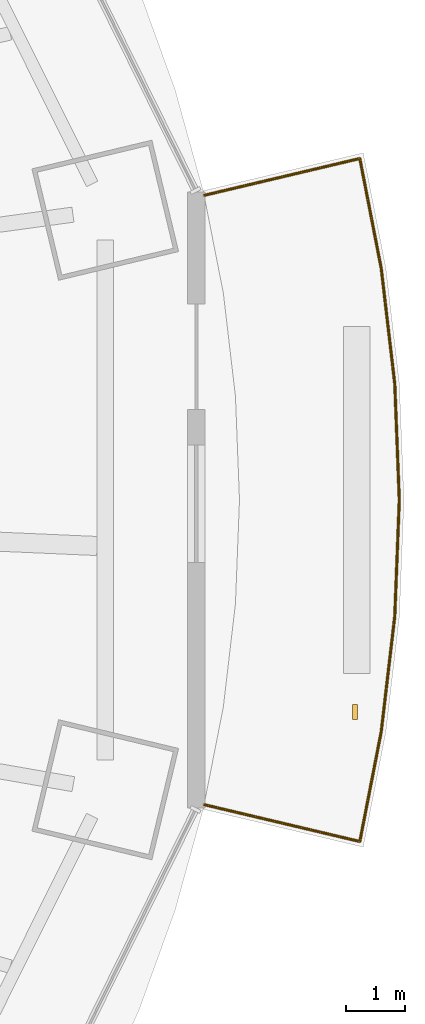
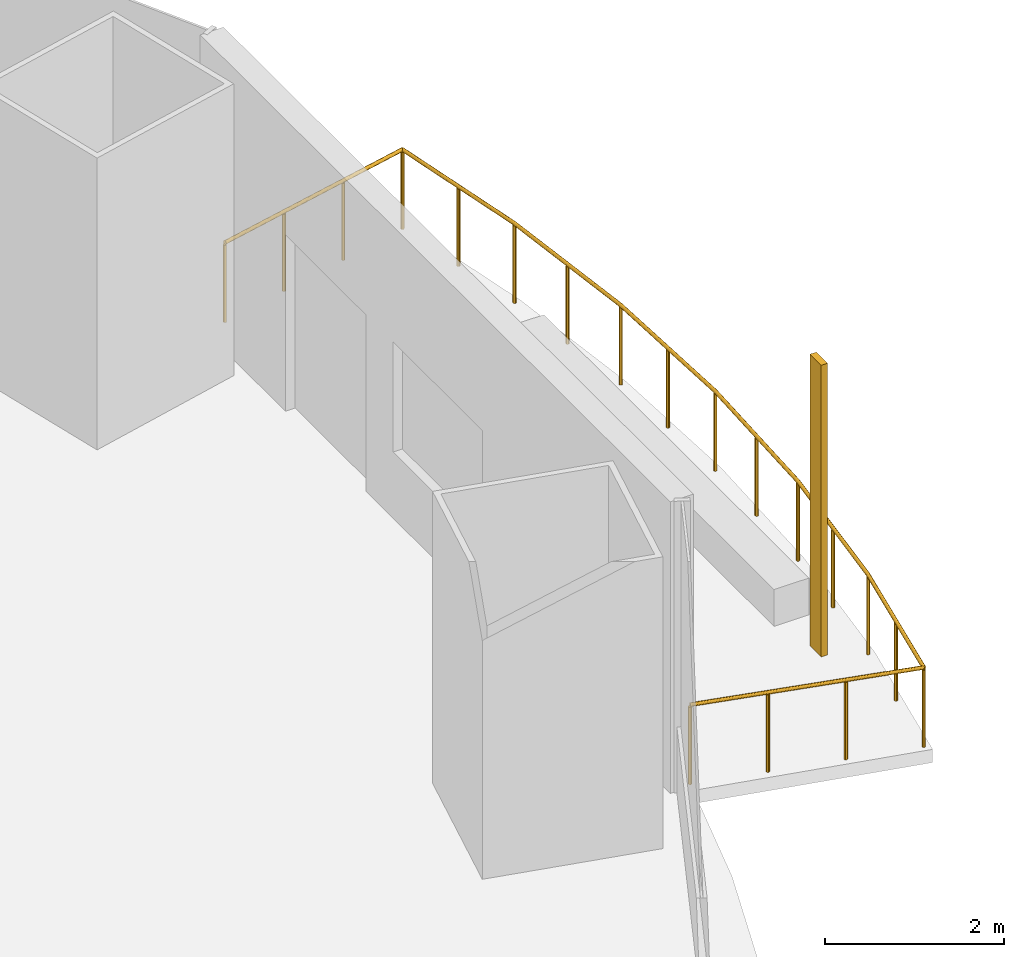
# One storey, part 19 of 20: 1 railing, 1 shading device.
"""IFC4 building model written with IfcOpenShell, lengths in metres."""

from ifc_helpers import new_model, si_unit, direction, frame, origin, origin_2d, place, context, subcontext, project, spatial, rectangle, circle, extrude, material, material_profile, profile_set, type_object, element, save


model = new_model("IFC4")

# Units and contexts
model_context = context("Model", 3, precision=1e-05, world=origin(), true_north=direction((0.0, 1.0)))
body_context = subcontext(model_context, "Body", "Model", "MODEL_VIEW")
ifc_project = project(units=[si_unit("LENGTHUNIT", "METRE"), si_unit("AREAUNIT", "SQUARE_METRE"), si_unit("VOLUMEUNIT", "CUBIC_METRE"), si_unit("PLANEANGLEUNIT", "RADIAN"), si_unit("MASSUNIT", "GRAM", prefix="KILO")], contexts=[model_context])

# Site, building, storey
site_placement = place(None, origin())
site = spatial("IfcSite", under=ifc_project, at=site_placement, CompositionType="ELEMENT")
building_placement = place(site_placement, origin())
building = spatial("IfcBuilding", under=site, at=building_placement, Name="Marenthal Gate Tower", CompositionType="ELEMENT")
storey_placement = place(building_placement, frame((0.0, 0.0, 194.25)))
storey = spatial("IfcBuildingStorey", under=building, at=storey_placement, Name="L42", CompositionType="ELEMENT", Elevation=194.25)

# Railing
ifc_material_1 = material(Name="Stainless steel", Category="steel")
railing_type = type_object("IfcRailingType", Name="Balcony guard 1100", PredefinedType="GUARDRAIL", material=ifc_material_1)
railing_placement = place(storey_placement, frame((33.3359375, 4.5859375, 0.0)))
element("IfcRailing", 1, at=railing_placement, inside=storey, type_object=railing_type, Name="Balcony guard L42 bay 16", PredefinedType="GUARDRAIL", context=body_context, shape_type="SweptSolid", body=[
    extrude(circle(Radius=0.02392578125, at=origin_2d()), frame((0.0, 0.0, 1.076171875), z_axis=(0.973011948097, 0.230284879064, -0.014718129449), x_axis=(-0.230309825657, 0.973117353769, 0.0)), (0.0, 0.0, 1.0), 2.720458984375),
    extrude(circle(Radius=0.02392578125, at=origin_2d()), frame((2.64697265625, 0.62646484375, 1.0361328125), z_axis=(0.19133270439, -0.981525239732, 0.0), x_axis=(0.981525239732, 0.19133270439, 0.0)), (0.0, 0.0, 1.0), 1.905029296875),
    extrude(circle(Radius=0.02392578125, at=origin_2d()), frame((3.011474609375, -1.243408203125, 1.0361328125), z_axis=(0.116397683108, -0.993202687958, 0.0), x_axis=(0.993202687958, 0.116397683108, 0.0)), (0.0, 0.0, 1.0), 1.97998046875),
    extrude(circle(Radius=0.02392578125, at=origin_2d()), frame((3.241943359375, -3.2099609375, 1.0361328125), z_axis=(0.039011545359, -0.999238759921, 0.0), x_axis=(0.999238759921, 0.039011545359, 0.0)), (0.0, 0.0, 1.0), 1.9775390625),
    extrude(circle(Radius=0.02392578125, at=origin_2d()), frame((3.319091796875, -5.18603515625, 1.0361328125), z_axis=(-0.039011545359, -0.999238759921, 0.0), x_axis=(0.999238759921, -0.039011545359, 0.0)), (0.0, 0.0, 1.0), 1.9775390625),
    extrude(circle(Radius=0.02392578125, at=origin_2d()), frame((3.241943359375, -7.162109375, 1.0361328125), z_axis=(-0.116397683108, -0.993202687958, 0.0), x_axis=(0.993202687958, -0.116397683108, 0.0)), (0.0, 0.0, 1.0), 1.97998046875),
    extrude(circle(Radius=0.02392578125, at=origin_2d()), frame((3.011474609375, -9.128662109375, 1.0361328125), z_axis=(-0.191356774256, -0.981520547389, 0.0), x_axis=(0.981520547389, -0.191356774256, 0.0)), (0.0, 0.0, 1.0), 1.90478515625),
    extrude(circle(Radius=0.02392578125, at=origin_2d()), frame((2.64697265625, -10.998291015625, 1.0361328125), z_axis=(-0.973011948097, 0.230284879064, 0.014718129449), x_axis=(-0.230309825657, -0.973117353769, 0.0)), (0.0, 0.0, 1.0), 2.720458984375),
    extrude(circle(Radius=0.02099609375, at=origin_2d()), origin(), (0.0, 0.0, 1.0), 1.052001953125),
    extrude(circle(Radius=0.02099609375, at=origin_2d()), frame((0.88232421875, 0.208740234375, -0.013427734375)), (0.0, 0.0, 1.0), 1.052001953125),
    extrude(circle(Radius=0.02099609375, at=origin_2d()), frame((1.7646484375, 0.417724609375, -0.026611328125)), (0.0, 0.0, 1.0), 1.052001953125),
    extrude(circle(Radius=0.02099609375, at=origin_2d()), frame((2.64697265625, 0.62646484375, -0.0400390625)), (0.0, 0.0, 1.0), 1.052001953125),
    extrude(circle(Radius=0.02099609375, at=origin_2d()), frame((2.8291015625, -0.30859375, -0.0400390625)), (0.0, 0.0, 1.0), 1.052001953125),
    extrude(circle(Radius=0.02099609375, at=origin_2d()), frame((3.011474609375, -1.243408203125, -0.0400390625)), (0.0, 0.0, 1.0), 1.052001953125),
    extrude(circle(Radius=0.02099609375, at=origin_2d()), frame((3.126708984375, -2.2265625, -0.0400390625)), (0.0, 0.0, 1.0), 1.052001953125),
    extrude(circle(Radius=0.02099609375, at=origin_2d()), frame((3.241943359375, -3.2099609375, -0.0400390625)), (0.0, 0.0, 1.0), 1.052001953125),
    extrude(circle(Radius=0.02099609375, at=origin_2d()), frame((3.280517578125, -4.197998046875, -0.0400390625)), (0.0, 0.0, 1.0), 1.052001953125),
    extrude(circle(Radius=0.02099609375, at=origin_2d()), frame((3.319091796875, -5.18603515625, -0.0400390625)), (0.0, 0.0, 1.0), 1.052001953125),
    extrude(circle(Radius=0.02099609375, at=origin_2d()), frame((3.280517578125, -6.174072265625, -0.0400390625)), (0.0, 0.0, 1.0), 1.052001953125),
    extrude(circle(Radius=0.02099609375, at=origin_2d()), frame((3.241943359375, -7.162109375, -0.0400390625)), (0.0, 0.0, 1.0), 1.052001953125),
    extrude(circle(Radius=0.02099609375, at=origin_2d()), frame((3.126708984375, -8.1455078125, -0.0400390625)), (0.0, 0.0, 1.0), 1.052001953125),
    extrude(circle(Radius=0.02099609375, at=origin_2d()), frame((3.011474609375, -9.128662109375, -0.0400390625)), (0.0, 0.0, 1.0), 1.052001953125),
    extrude(circle(Radius=0.02099609375, at=origin_2d()), frame((2.8291015625, -10.0634765625, -0.0400390625)), (0.0, 0.0, 1.0), 1.052001953125),
    extrude(circle(Radius=0.02099609375, at=origin_2d()), frame((2.64697265625, -10.998291015625, -0.0400390625)), (0.0, 0.0, 1.0), 1.052001953125),
    extrude(circle(Radius=0.02099609375, at=origin_2d()), frame((1.7646484375, -10.78955078125, -0.026611328125)), (0.0, 0.0, 1.0), 1.052001953125),
    extrude(circle(Radius=0.02099609375, at=origin_2d()), frame((0.88232421875, -10.58056640625, -0.013427734375)), (0.0, 0.0, 1.0), 1.052001953125),
    extrude(circle(Radius=0.02099609375, at=origin_2d()), frame((0.0, -10.371826171875, 0.0)), (0.0, 0.0, 1.0), 1.052001953125),
])

# Shading device
ifc_material_2 = material(Name="Terracotta", Category="masonry")
ifc_material_profile = material_profile(ifc_material_2, rectangle(XDim=0.25, YDim=0.080078125, at=origin_2d()), Name="Terracotta baguette 250x80")
ifc_profile_set = profile_set([ifc_material_profile], Name="Terracotta")
shading_device_type = type_object("IfcShadingDeviceType", Name="Terracotta BAGUETTE SCREEN 250x80", PredefinedType="USERDEFINED", material=ifc_profile_set)
shading_device_placement = place(storey_placement, frame((35.902099609375, -4.209228515625, -0.0400390625), z_axis=(0.0, 0.0, 1.0), x_axis=(0.0, 1.0, 0.0)))
element("IfcShadingDevice", 2, at=shading_device_placement, inside=storey, type_object=shading_device_type, Name="Terracotta BAGUETTE L42 bay 16L", ObjectType="BAGUETTE SCREEN", PredefinedType="USERDEFINED", context=body_context, shape_type="SweptSolid", body=[
    extrude(rectangle(XDim=0.25, YDim=0.080078125, at=origin_2d()), origin(), (0.0, 0.0, 1.0), 3.969970703125),
])

save(model, "model.ifc")
